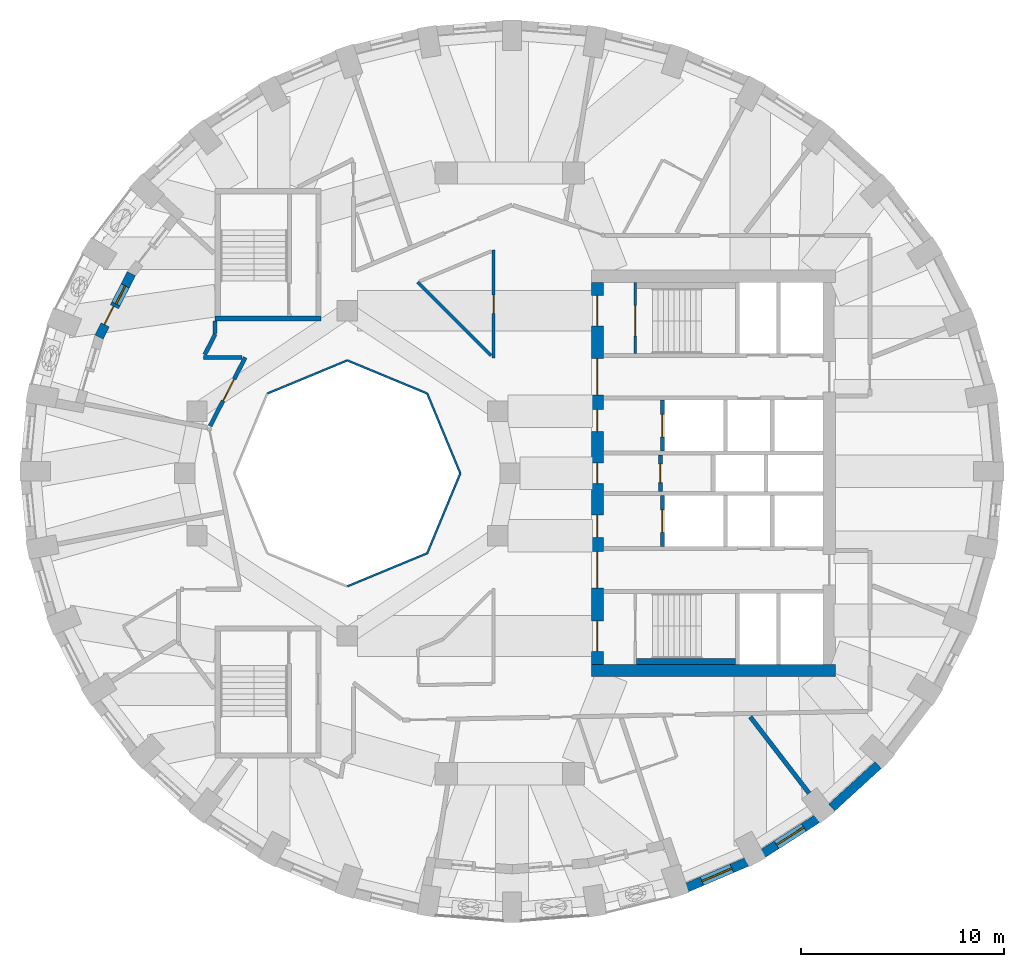
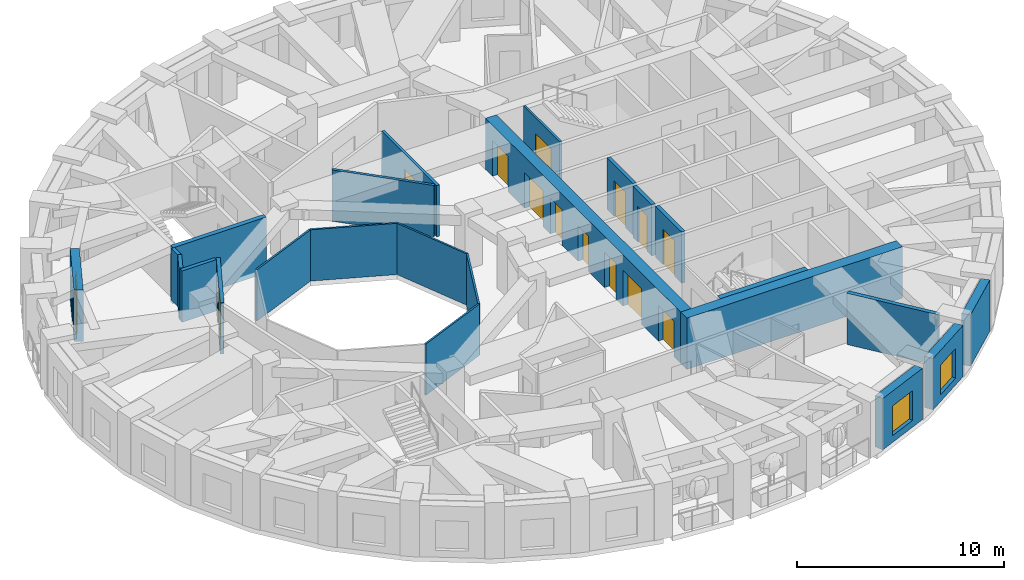
# One storey, part 5 of 11: 24 walls, 14 doors, 3 windows, 17 openings.
"""IFC4 building model written with IfcOpenShell, lengths in metres."""

from ifc_helpers import new_model, si_unit, direction, frame, frame_2d, origin, place, context, subcontext, project, spatial, rectangle, extrude, material, layer, layer_set, type_object, element, fill, save


model = new_model("IFC4")

# Units and contexts
model_context = context("Model", 3, precision=1e-05, world=origin(), true_north=direction((0.0, 1.0)))
body_context = subcontext(model_context, "Body", "Model", "MODEL_VIEW")
ifc_project = project(units=[si_unit("LENGTHUNIT", "METRE"), si_unit("AREAUNIT", "SQUARE_METRE"), si_unit("VOLUMEUNIT", "CUBIC_METRE"), si_unit("PLANEANGLEUNIT", "RADIAN"), si_unit("MASSUNIT", "GRAM", prefix="KILO")], contexts=[model_context])

# Site, building, storey
site_placement = place(None, origin())
site = spatial("IfcSite", under=ifc_project, at=site_placement, CompositionType="ELEMENT")
building_placement = place(site_placement, origin())
building = spatial("IfcBuilding", under=site, at=building_placement, Name="Taillehof Tower", CompositionType="ELEMENT")
storey_placement = place(building_placement, frame((0.0, 0.0, 158.300048828125)))
storey = spatial("IfcBuildingStorey", under=building, at=storey_placement, Name="L44", CompositionType="ELEMENT", Elevation=158.300048828125)

# Walls
ifc_material_1 = material(Name="Fire-resisting glass in steel frame", Category="steel")
ifc_layer_1 = layer(ifc_material_1, 0.10009765625)
ifc_layer_set_1 = layer_set([ifc_layer_1], Name="Atrium fire-resisting screen EI 60 100")
wall_type_1 = type_object("IfcWallType", Name="Atrium fire-resisting screen EI 60 100", PredefinedType="PARTITIONING", material=ifc_layer_set_1)
for number, where, z_axis, x_axis, name in (
    (1, (-2.44580078125, 0.0, 0.0), (0.0, 0.0, 1.0), (-0.382730523909, -0.923860025149, 0.0), "Atrium screen"),
    (2, (-4.07275390625, -3.92724609375, 0.0), (0.0, 0.0, 1.0), (-0.923860025149, -0.382730523909, 0.0), "Atrium screen"),
    (3, (-11.92724609375, 3.92724609375, 0.0), (0.0, 0.0, 1.0), (0.923860025149, 0.382730523909, 0.0), "Atrium screen"),
    (4, (-8.0, 5.55419921875, 0.0), (0.0, 0.0, 1.0), (0.923860025149, -0.382730523909, 0.0), "Atrium screen"),
    (5, (-4.07275390625, 3.92724609375, 0.0), (0.0, 0.0, 1.0), (0.382730523909, -0.923860025149, 0.0), "Atrium screen"),
):
    element("IfcWall", number, at=place(storey_placement, frame(where, z_axis=z_axis, x_axis=x_axis)), inside=storey, type_object=wall_type_1, Name=name, PredefinedType="PARTITIONING", context=body_context, shape_type="SweptSolid", body=[
        extrude(rectangle(XDim=4.2509765625, YDim=0.10009765625, at=frame_2d((2.12548828125, 0.0))), origin(), (0.0, 0.0, 1.0), 3.02001953125),
    ])

# Wall, opening, window
ifc_material_2 = material(Name="Brick masonry", Category="masonry")
ifc_layer_2 = layer(ifc_material_2, 0.449951171875)
ifc_layer_set_2 = layer_set([ifc_layer_2], Name="Brick infill wall 450")
wall_type_2 = type_object("IfcWallType", Name="Brick infill wall 450", PredefinedType="SOLIDWALL", material=ifc_layer_set_2)
wall_1_placement = place(storey_placement, frame((8.706298828125, -20.37451171875, 0.0), z_axis=(0.0, 0.0, 1.0), x_axis=(0.91981046949, 0.392362969986, 0.0)))
wall_1 = element("IfcWall", 6, at=wall_1_placement, inside=storey, type_object=wall_type_2, Name="Brick wall L44 bay 30", PredefinedType="SOLIDWALL", context=body_context, shape_type="SweptSolid", body=[
    extrude(rectangle(XDim=3.20068359375, YDim=0.449951171875, at=frame_2d((1.600341796875, 0.0))), origin(), (0.0, 0.0, 1.0), 3.02001953125),
])
opening_1_placement = place(wall_1_placement, frame((0.80029296875, 0.0, 0.39990234375)))
opening_1 = element("IfcOpeningElement", 7, at=opening_1_placement, cuts=wall_1, Name="Opening W3", PredefinedType="OPENING", context=body_context, shape_type="SweptSolid", body=[
    extrude(rectangle(XDim=1.60009765625, YDim=1.75, at=frame_2d((0.800048828125, 0.875))), frame((0.0, 0.23486328125, 0.0), z_axis=(0.0, -1.0, 0.0), x_axis=(1.0, 0.0, 0.0)), (0.0, 0.0, 1.0), 0.469970703125),
])
ifc_material_3 = material(Name="Aluminium window frame with clear double glazing", Category="aluminium")
window_type_1 = type_object("IfcWindowType", Name="Deep-set window 1600x1750", PartitioningType="SINGLE_PANEL", PredefinedType="WINDOW", material=ifc_material_3)
window_1_placement = place(opening_1_placement, origin())
window_1 = element("IfcWindow", 8, at=window_1_placement, inside=storey, type_object=window_type_1, Name="W3", OverallHeight=1.75, OverallWidth=1.60009765625, PartitioningType="SINGLE_PANEL", PredefinedType="WINDOW", context=body_context, shape_type="SweptSolid", body=[
    extrude(rectangle(XDim=1.60009765625, YDim=1.75, at=frame_2d((0.800048828125, 0.875))), frame((0.0, 0.034912109375, 0.0), z_axis=(0.0, -1.0, 0.0), x_axis=(1.0, 0.0, 0.0)), (0.0, 0.0, 1.0), 0.06005859375),
])
fill(opening_1, window_1)

wall_2_placement = place(storey_placement, frame((12.454833984375, -18.693115234375, 0.0), z_axis=(0.0, 0.0, 1.0), x_axis=(0.842065914439, 0.539374633943, 0.0)))
wall_2 = element("IfcWall", 9, at=wall_2_placement, inside=storey, type_object=wall_type_2, Name="Brick wall L44 bay 31", PredefinedType="SOLIDWALL", context=body_context, shape_type="SweptSolid", body=[
    extrude(rectangle(XDim=3.1513671875, YDim=0.449951171875, at=frame_2d((1.57568359375, 0.0))), origin(), (0.0, 0.0, 1.0), 3.02001953125),
])
opening_2_placement = place(wall_2_placement, frame((0.775634765625, 0.0, 0.39990234375)))
opening_2 = element("IfcOpeningElement", 10, at=opening_2_placement, cuts=wall_2, Name="Opening W3", PredefinedType="OPENING", context=body_context, shape_type="SweptSolid", body=[
    extrude(rectangle(XDim=1.60009765625, YDim=1.75, at=frame_2d((0.800048828125, 0.875))), frame((0.0, 0.23486328125, 0.0), z_axis=(0.0, -1.0, 0.0), x_axis=(1.0, 0.0, 0.0)), (0.0, 0.0, 1.0), 0.469970703125),
])
window_2_placement = place(opening_2_placement, origin())
window_2 = element("IfcWindow", 11, at=window_2_placement, inside=storey, type_object=window_type_1, Name="W3", OverallHeight=1.75, OverallWidth=1.60009765625, PartitioningType="SINGLE_PANEL", PredefinedType="WINDOW", context=body_context, shape_type="SweptSolid", body=[
    extrude(rectangle(XDim=1.60009765625, YDim=1.75, at=frame_2d((0.800048828125, 0.875))), frame((0.0, 0.034912109375, 0.0), z_axis=(0.0, -1.0, 0.0), x_axis=(1.0, 0.0, 0.0)), (0.0, 0.0, 1.0), 0.06005859375),
])
fill(opening_2, window_2)

# Wall
wall_3_placement = place(storey_placement, frame((15.830078125, -16.438720703125, 0.0), z_axis=(0.0, 0.0, 1.0), x_axis=(0.737808755941, 0.675009807082, 0.0)))
element("IfcWall", 12, at=wall_3_placement, inside=storey, type_object=wall_type_2, Name="Brick wall L44 bay 32", PredefinedType="SOLIDWALL", context=body_context, shape_type="SweptSolid", body=[
    extrude(rectangle(XDim=3.094482421875, YDim=0.449951171875, at=frame_2d((1.54736328125, 0.0))), origin(), (0.0, 0.0, 1.0), 3.02001953125),
])

# Wall, openings, door, window
wall_4_placement = place(storey_placement, frame((-18.6259765625, 9.819580078125, 0.0), z_axis=(0.0, 0.0, 1.0), x_axis=(-0.453241970186, -0.891387523169, 0.0)))
wall_4 = element("IfcWall", 13, at=wall_4_placement, inside=storey, type_object=wall_type_2, Name="Brick wall L44 pocket bay 16", PredefinedType="SOLIDWALL", context=body_context, shape_type="SweptSolid", body=[
    extrude(rectangle(XDim=3.4931640625, YDim=0.449951171875, at=frame_2d((1.74658203125, 0.0))), origin(), (0.0, 0.0, 1.0), 3.02001953125),
])
opening_3_placement = place(wall_4_placement, frame((0.671630859375, 0.0, 0.39990234375)))
opening_3 = element("IfcOpeningElement", 14, at=opening_3_placement, cuts=wall_4, Name="Opening W5", PredefinedType="OPENING", context=body_context, shape_type="SweptSolid", body=[
    extrude(rectangle(XDim=1.0, YDim=1.75, at=frame_2d((0.5, 0.875))), frame((0.0, 0.23486328125, 0.0), z_axis=(0.0, -1.0, 0.0), x_axis=(1.0, 0.0, 0.0)), (0.0, 0.0, 1.0), 0.469970703125),
])
opening_4_placement = place(wall_4_placement, frame((1.821533203125, 0.0, 0.0)))
opening_4 = element("IfcOpeningElement", 15, at=opening_4_placement, cuts=wall_4, Name="Opening D4495", PredefinedType="OPENING", context=body_context, shape_type="SweptSolid", body=[
    extrude(rectangle(XDim=1.0, YDim=2.14990234375, at=frame_2d((0.5, 1.074951171875))), frame((0.0, 0.23486328125, 0.0), z_axis=(0.0, -1.0, 0.0), x_axis=(1.0, 0.0, 0.0)), (0.0, 0.0, 1.0), 0.469970703125),
])
ifc_material_4 = material(Name="Aluminium door frame with clear double glazing", Category="aluminium")
door_type_1 = type_object("IfcDoorType", Name="Balcony door 1000x2150", OperationType="SINGLE_SWING_RIGHT", PredefinedType="DOOR", material=ifc_material_4)
door_1_placement = place(opening_4_placement, frame((1.0, 0.0, 0.0), z_axis=(0.0, 0.0, 1.0), x_axis=(-1.0, 0.0, 0.0)))
door_1 = element("IfcDoor", 16, at=door_1_placement, inside=storey, type_object=door_type_1, Name="Balcony door L44 bay 16", OperationType="SINGLE_SWING_LEFT", OverallHeight=2.14990234375, OverallWidth=1.0, PredefinedType="DOOR", context=body_context, shape_type="SweptSolid", body=[
    extrude(rectangle(XDim=1.0, YDim=2.14990234375, at=frame_2d((0.5, 1.074951171875))), frame((0.0, 0.0751953125, 0.0), z_axis=(0.0, -1.0, 0.0), x_axis=(1.0, 0.0, 0.0)), (0.0, 0.0, 1.0), 0.050048828125),
])
fill(opening_4, door_1)
ifc_material_5 = material(Name="Aluminium window frame with clear double glazing", Category="aluminium")
window_type_2 = type_object("IfcWindowType", Name="Fixed window 1000x1750", PartitioningType="SINGLE_PANEL", PredefinedType="WINDOW", material=ifc_material_5)
window_3_placement = place(opening_3_placement, origin())
window_3 = element("IfcWindow", 17, at=window_3_placement, inside=storey, type_object=window_type_2, Name="W5", OverallHeight=1.75, OverallWidth=1.0, PartitioningType="SINGLE_PANEL", PredefinedType="WINDOW", context=body_context, shape_type="SweptSolid", body=[
    extrude(rectangle(XDim=1.0, YDim=1.75, at=frame_2d((0.5, 0.875))), frame((0.0, 0.034912109375, 0.0), z_axis=(0.0, -1.0, 0.0), x_axis=(1.0, 0.0, 0.0)), (0.0, 0.0, 1.0), 0.06005859375),
])
fill(opening_3, window_3)

# Wall, opening, door
ifc_material_6 = material(Name="Calcium silicate masonry", Category="masonry")
ifc_layer_3 = layer(ifc_material_6, 0.199951171875)
ifc_layer_set_3 = layer_set([ifc_layer_3], Name="Compartment wall calcium silicate 200")
wall_type_3 = type_object("IfcWallType", Name="Compartment wall calcium silicate 200", PredefinedType="PARTITIONING", material=ifc_layer_set_3)
wall_5_placement = place(storey_placement, frame((7.39990234375, -0.89990234375, 0.0), z_axis=(0.0, 0.0, 1.0), x_axis=(0.0, 1.0, 0.0)))
wall_5 = element("IfcWall", 18, at=wall_5_placement, inside=storey, type_object=wall_type_3, Name="Compartment wall FW", PredefinedType="PARTITIONING", context=body_context, shape_type="SweptSolid", body=[
    extrude(rectangle(XDim=1.7998046875, YDim=0.199951171875, at=frame_2d((0.89990234375, 0.0))), origin(), (0.0, 0.0, 1.0), 3.02001953125),
])
opening_5_placement = place(wall_5_placement, frame((0.449951171875, 0.0, 0.0)))
opening_5 = element("IfcOpeningElement", 19, at=opening_5_placement, cuts=wall_5, Name="Opening D4414", PredefinedType="OPENING", context=body_context, shape_type="SweptSolid", body=[
    extrude(rectangle(XDim=0.89990234375, YDim=2.10009765625, at=frame_2d((0.449951171875, 1.050048828125))), frame((0.0, 0.10986328125, 0.0), z_axis=(0.0, -1.0, 0.0), x_axis=(1.0, 0.0, 0.0)), (0.0, 0.0, 1.0), 0.219970703125),
])
ifc_material_7 = material(Name="Steel-faced fire door", Category="steel")
door_type_2 = type_object("IfcDoorType", Name="Riser and service room door 900x2100", OperationType="SINGLE_SWING_LEFT", PredefinedType="DOOR", material=ifc_material_7)
door_2_placement = place(opening_5_placement, origin())
door_2 = element("IfcDoor", 20, at=door_2_placement, inside=storey, type_object=door_type_2, Name="Door Fire Safety Store", OperationType="SINGLE_SWING_RIGHT", OverallHeight=2.10009765625, OverallWidth=0.89990234375, PredefinedType="DOOR", context=body_context, shape_type="SweptSolid", body=[
    extrude(rectangle(XDim=0.89990234375, YDim=2.10009765625, at=frame_2d((0.449951171875, 1.050048828125))), frame((0.0, 0.02490234375, 0.0), z_axis=(0.0, -1.0, 0.0), x_axis=(1.0, 0.0, 0.0)), (0.0, 0.0, 1.0), 0.050048828125),
])
fill(opening_5, door_2)

ifc_material_8 = material(Name="Gypsum board on steel studs, two layers each side", Category="steel")
ifc_layer_4 = layer(ifc_material_8, 0.199951171875)
ifc_layer_set_4 = layer_set([ifc_layer_4], Name="Compartment wall corridor 200")
wall_type_4 = type_object("IfcWallType", Name="Compartment wall corridor 200", PredefinedType="PARTITIONING", material=ifc_layer_set_4)
wall_6_placement = place(storey_placement, frame((-14.750732421875, 2.326416015625, 0.0), z_axis=(0.0, 0.0, 1.0), x_axis=(0.456461745611, 0.889743038632, 0.0)))
wall_6 = element("IfcWall", 21, at=wall_6_placement, inside=storey, type_object=wall_type_4, Name="Compartment wall", PredefinedType="PARTITIONING", context=body_context, shape_type="SweptSolid", body=[
    extrude(rectangle(XDim=3.79150390625, YDim=0.199951171875, at=frame_2d((1.895751953125, 0.0))), origin(), (0.0, 0.0, 1.0), 3.02001953125),
])
opening_6_placement = place(wall_6_placement, frame((1.40087890625, 0.0, 0.0)))
opening_6 = element("IfcOpeningElement", 22, at=opening_6_placement, cuts=wall_6, Name="Opening D4446", PredefinedType="OPENING", context=body_context, shape_type="SweptSolid", body=[
    extrude(rectangle(XDim=1.199951171875, YDim=2.10009765625, at=frame_2d((0.60009765625, 1.050048828125))), frame((0.0, 0.10986328125, 0.0), z_axis=(0.0, -1.0, 0.0), x_axis=(1.0, 0.0, 0.0)), (0.0, 0.0, 1.0), 0.219970703125),
])
ifc_material_9 = material(Name="Timber door leaf in steel frame", Category="steel")
door_type_3 = type_object("IfcDoorType", Name="Suite entrance door EI 30 1200 x 2100", OperationType="SINGLE_SWING_LEFT", PredefinedType="DOOR", material=ifc_material_9)
door_3_placement = place(opening_6_placement, origin())
door_3 = element("IfcDoor", 23, at=door_3_placement, inside=storey, type_object=door_type_3, Name="D4446", OperationType="SINGLE_SWING_RIGHT", OverallHeight=2.10009765625, OverallWidth=1.199951171875, PredefinedType="DOOR", context=body_context, shape_type="SweptSolid", body=[
    extrude(rectangle(XDim=1.199951171875, YDim=2.10009765625, at=frame_2d((0.60009765625, 1.050048828125))), frame((0.0, 0.02490234375, 0.0), z_axis=(0.0, -1.0, 0.0), x_axis=(1.0, 0.0, 0.0)), (0.0, 0.0, 1.0), 0.050048828125),
])
fill(opening_6, door_3)

# Walls
wall_7_placement = place(storey_placement, frame((-13.18017578125, 5.699951171875, 0.0), z_axis=(0.0, 0.0, 1.0), x_axis=(-1.0, 0.0, 0.0)))
element("IfcWall", 24, at=wall_7_placement, inside=storey, type_object=wall_type_4, Name="Compartment wall", PredefinedType="PARTITIONING", context=body_context, shape_type="SweptSolid", body=[
    extrude(rectangle(XDim=1.903076171875, YDim=0.199951171875, at=frame_2d((0.95166015625, 0.0))), origin(), (0.0, 0.0, 1.0), 3.02001953125),
])
wall_8_placement = place(storey_placement, frame((-15.010986328125, 5.842529296875, 0.0), z_axis=(0.0, 0.0, 1.0), x_axis=(0.453267091839, 0.891374749169, 0.0)))
element("IfcWall", 25, at=wall_8_placement, inside=storey, type_object=wall_type_4, Name="Compartment wall", PredefinedType="PARTITIONING", context=body_context, shape_type="SweptSolid", body=[
    extrude(rectangle(XDim=1.12744140625, YDim=0.199951171875, at=frame_2d((0.563720703125, 0.0))), origin(), (0.0, 0.0, 1.0), 3.02001953125),
])
wall_9_placement = place(storey_placement, frame((-14.5, 6.887451171875, 0.0), z_axis=(0.0, 0.0, 1.0), x_axis=(0.0, 1.0, 0.0)))
element("IfcWall", 26, at=wall_9_placement, inside=storey, type_object=wall_type_4, Name="Compartment wall", PredefinedType="PARTITIONING", context=body_context, shape_type="SweptSolid", body=[
    extrude(rectangle(XDim=0.608642578125, YDim=0.199951171875, at=frame_2d((0.30419921875, 0.0))), origin(), (0.0, 0.0, 1.0), 3.02001953125),
])
ifc_material_10 = material(Name="Gypsum board on double steel studs with mineral wool", Category="steel")
ifc_layer_5 = layer(ifc_material_10, 0.219970703125)
ifc_layer_set_5 = layer_set([ifc_layer_5], Name="Compartment wall guest room 220")
wall_type_5 = type_object("IfcWallType", Name="Compartment wall guest room 220", PredefinedType="PARTITIONING", material=ifc_layer_set_5)
wall_10_placement = place(storey_placement, frame((14.7158203125, -15.7373046875, 0.0), z_axis=(0.0, 0.0, 1.0), x_axis=(-0.609964163419, 0.79242899956, 0.0)))
element("IfcWall", 27, at=wall_10_placement, inside=storey, type_object=wall_type_5, Name="Compartment wall", PredefinedType="PARTITIONING", context=body_context, shape_type="SweptSolid", body=[
    extrude(rectangle(XDim=4.74853515625, YDim=0.219970703125, at=frame_2d((2.374267578125, 0.0))), origin(), (0.0, 0.0, 1.0), 3.02001953125),
])
ifc_material_11 = material(Name="Calcium silicate masonry", Category="masonry")
ifc_layer_6 = layer(ifc_material_11, 0.300048828125)
ifc_layer_set_6 = layer_set([ifc_layer_6], Name="Compartment wall lining calcium silicate 300")
wall_type_6 = type_object("IfcWallType", Name="Compartment wall lining calcium silicate 300", PredefinedType="PARTITIONING", material=ifc_layer_set_6)
wall_11_placement = place(storey_placement, frame((6.219970703125, -9.25, 0.0), z_axis=(0.0, 0.0, 1.0), x_axis=(1.0, 0.0, 0.0)))
element("IfcWall", 28, at=wall_11_placement, inside=storey, type_object=wall_type_6, Name="Compartment wall FW", PredefinedType="PARTITIONING", context=body_context, shape_type="SweptSolid", body=[
    extrude(rectangle(XDim=4.880126953125, YDim=0.300048828125, at=frame_2d((2.43994140625, 0.0))), origin(), (0.0, 0.0, 1.0), 3.02001953125),
])

# Wall, opening, door
ifc_material_12 = material(Name="Gypsum board on steel studs, two layers each side", Category="steel")
ifc_layer_7 = layer(ifc_material_12, 0.14990234375)
ifc_layer_set_7 = layer_set([ifc_layer_7], Name="Compartment wall service room 150")
wall_type_7 = type_object("IfcWallType", Name="Compartment wall service room 150", PredefinedType="PARTITIONING", material=ifc_layer_set_7)
wall_12_placement = place(storey_placement, frame((-0.800048828125, 10.977294921875, 0.0), z_axis=(0.0, 0.0, 1.0), x_axis=(0.0, -1.0, 0.0)))
wall_12 = element("IfcWall", 29, at=wall_12_placement, inside=storey, type_object=wall_type_7, Name="Compartment wall", PredefinedType="PARTITIONING", context=body_context, shape_type="SweptSolid", body=[
    extrude(rectangle(XDim=5.307861328125, YDim=0.14990234375, at=frame_2d((2.65380859375, 0.0))), origin(), (0.0, 0.0, 1.0), 3.02001953125),
])
opening_7_placement = place(wall_12_placement, frame((2.203857421875, 0.0, 0.0)))
opening_7 = element("IfcOpeningElement", 30, at=opening_7_placement, cuts=wall_12, Name="Opening D4459", PredefinedType="OPENING", context=body_context, shape_type="SweptSolid", body=[
    extrude(rectangle(XDim=0.89990234375, YDim=2.10009765625, at=frame_2d((0.449951171875, 1.050048828125))), frame((0.0, 0.0849609375, 0.0), z_axis=(0.0, -1.0, 0.0), x_axis=(1.0, 0.0, 0.0)), (0.0, 0.0, 1.0), 0.169921875),
])
ifc_material_13 = material(Name="Timber door leaf in steel frame", Category="steel")
door_type_4 = type_object("IfcDoorType", Name="Service room door EI 30 900 x 2100", OperationType="SINGLE_SWING_LEFT", PredefinedType="DOOR", material=ifc_material_13)
door_4_placement = place(opening_7_placement, origin())
door_4 = element("IfcDoor", 31, at=door_4_placement, inside=storey, type_object=door_type_4, Name="D4459", OperationType="SINGLE_SWING_LEFT", OverallHeight=2.10009765625, OverallWidth=0.89990234375, PredefinedType="DOOR", context=body_context, shape_type="SweptSolid", body=[
    extrude(rectangle(XDim=0.89990234375, YDim=2.10009765625, at=frame_2d((0.449951171875, 1.050048828125))), frame((0.0, 0.02490234375, 0.0), z_axis=(0.0, -1.0, 0.0), x_axis=(1.0, 0.0, 0.0)), (0.0, 0.0, 1.0), 0.050048828125),
])
fill(opening_7, door_4)

# Wall
wall_13_placement = place(storey_placement, frame((-0.927490234375, 5.796875, 0.0), z_axis=(0.0, 0.0, 1.0), x_axis=(-0.707106781187, 0.707106781187, 0.0)))
element("IfcWall", 32, at=wall_13_placement, inside=storey, type_object=wall_type_7, Name="Compartment wall", PredefinedType="PARTITIONING", context=body_context, shape_type="SweptSolid", body=[
    extrude(rectangle(XDim=5.10400390625, YDim=0.14990234375, at=frame_2d((2.552001953125, 0.0))), origin(), (0.0, 0.0, 1.0), 3.02001953125),
])

# Wall, openings, doors
ifc_material_14 = material(Name="Concrete C80/95", Category="concrete")
ifc_layer_8 = layer(ifc_material_14, 0.60009765625)
ifc_layer_set_8 = layer_set([ifc_layer_8], Name="Core wall C80/95 600")
wall_type_8 = type_object("IfcWallType", Name="Core wall C80/95 600", PredefinedType="SHEAR", material=ifc_layer_set_8)
wall_14_placement = place(storey_placement, frame((4.300048828125, -9.39990234375, 0.0), z_axis=(0.0, 0.0, 1.0), x_axis=(0.0, 1.0, 0.0)))
wall_14 = element("IfcWall", 33, at=wall_14_placement, inside=storey, type_object=wall_type_8, Name="Core wall CW01", PredefinedType="SHEAR", context=body_context, shape_type="SweptSolid", body=[
    extrude(rectangle(XDim=18.7998046875, YDim=0.60009765625, at=frame_2d((9.39990234375, 0.0))), origin(), (0.0, 0.0, 1.0), 3.02001953125),
])
opening_8_placement = place(wall_14_placement, frame((0.64990234375, 0.0, 0.0)))
opening_8 = element("IfcOpeningElement", 34, at=opening_8_placement, cuts=wall_14, Name="Opening D4401", PredefinedType="OPENING", context=body_context, shape_type="SweptSolid", body=[
    extrude(rectangle(XDim=1.5, YDim=2.10009765625, at=frame_2d((0.75, 1.050048828125))), frame((0.0, 0.31005859375, 0.0), z_axis=(0.0, -1.0, 0.0), x_axis=(1.0, 0.0, 0.0)), (0.0, 0.0, 1.0), 0.6201171875),
])
opening_9_placement = place(wall_14_placement, frame((3.75, 0.0, 0.0)))
opening_9 = element("IfcOpeningElement", 35, at=opening_9_placement, cuts=wall_14, Name="Opening D4402", PredefinedType="OPENING", context=body_context, shape_type="SweptSolid", body=[
    extrude(rectangle(XDim=1.800048828125, YDim=2.10009765625, at=frame_2d((0.89990234375, 1.050048828125))), frame((0.0, 0.31005859375, 0.0), z_axis=(0.0, -1.0, 0.0), x_axis=(1.0, 0.0, 0.0)), (0.0, 0.0, 1.0), 0.6201171875),
])
opening_10_placement = place(wall_14_placement, frame((6.25, 0.0, 0.0)))
opening_10 = element("IfcOpeningElement", 36, at=opening_10_placement, cuts=wall_14, Name="Opening D4403", PredefinedType="OPENING", context=body_context, shape_type="SweptSolid", body=[
    extrude(rectangle(XDim=1.10009765625, YDim=2.10009765625, at=frame_2d((0.550048828125, 1.050048828125))), frame((0.0, 0.31005859375, 0.0), z_axis=(0.0, -1.0, 0.0), x_axis=(1.0, 0.0, 0.0)), (0.0, 0.0, 1.0), 0.6201171875),
])
opening_11_placement = place(wall_14_placement, frame((8.89990234375, 0.0, 0.0)))
opening_11 = element("IfcOpeningElement", 37, at=opening_11_placement, cuts=wall_14, Name="Opening D4404", PredefinedType="OPENING", context=body_context, shape_type="SweptSolid", body=[
    extrude(rectangle(XDim=1.0, YDim=2.10009765625, at=frame_2d((0.5, 1.050048828125))), frame((0.0, 0.31005859375, 0.0), z_axis=(0.0, -1.0, 0.0), x_axis=(1.0, 0.0, 0.0)), (0.0, 0.0, 1.0), 0.6201171875),
])
opening_12_placement = place(wall_14_placement, frame((11.449951171875, 0.0, 0.0)))
opening_12 = element("IfcOpeningElement", 38, at=opening_12_placement, cuts=wall_14, Name="Opening D4405", PredefinedType="OPENING", context=body_context, shape_type="SweptSolid", body=[
    extrude(rectangle(XDim=1.10009765625, YDim=2.10009765625, at=frame_2d((0.550048828125, 1.050048828125))), frame((0.0, 0.31005859375, 0.0), z_axis=(0.0, -1.0, 0.0), x_axis=(1.0, 0.0, 0.0)), (0.0, 0.0, 1.0), 0.6201171875),
])
opening_13_placement = place(wall_14_placement, frame((13.25, 0.0, 0.0)))
opening_13 = element("IfcOpeningElement", 39, at=opening_13_placement, cuts=wall_14, Name="Opening D4406", PredefinedType="OPENING", context=body_context, shape_type="SweptSolid", body=[
    extrude(rectangle(XDim=1.800048828125, YDim=2.10009765625, at=frame_2d((0.89990234375, 1.050048828125))), frame((0.0, 0.31005859375, 0.0), z_axis=(0.0, -1.0, 0.0), x_axis=(1.0, 0.0, 0.0)), (0.0, 0.0, 1.0), 0.6201171875),
])
opening_14_placement = place(wall_14_placement, frame((16.64990234375, 0.0, 0.0)))
opening_14 = element("IfcOpeningElement", 40, at=opening_14_placement, cuts=wall_14, Name="Opening D4407", PredefinedType="OPENING", context=body_context, shape_type="SweptSolid", body=[
    extrude(rectangle(XDim=1.5, YDim=2.10009765625, at=frame_2d((0.75, 1.050048828125))), frame((0.0, 0.31005859375, 0.0), z_axis=(0.0, -1.0, 0.0), x_axis=(1.0, 0.0, 0.0)), (0.0, 0.0, 1.0), 0.6201171875),
])
ifc_material_15 = material(Name="Steel-faced fire door", Category="steel")
door_type_5 = type_object("IfcDoorType", Name="Firefighting lobby door 1100x2100", OperationType="SINGLE_SWING_RIGHT", PredefinedType="DOOR", material=ifc_material_15)
door_5_placement = place(opening_10_placement, origin())
door_5 = element("IfcDoor", 41, at=door_5_placement, inside=storey, type_object=door_type_5, Name="Firefighting lobby door FFL-S", OperationType="SINGLE_SWING_RIGHT", OverallHeight=2.10009765625, OverallWidth=1.10009765625, PredefinedType="DOOR", context=body_context, shape_type="SweptSolid", body=[
    extrude(rectangle(XDim=1.10009765625, YDim=2.10009765625, at=frame_2d((0.550048828125, 1.050048828125))), frame((0.0, 0.02490234375, 0.0), z_axis=(0.0, -1.0, 0.0), x_axis=(1.0, 0.0, 0.0)), (0.0, 0.0, 1.0), 0.050048828125),
])
fill(opening_10, door_5)
door_6_placement = place(opening_12_placement, origin())
door_6 = element("IfcDoor", 42, at=door_6_placement, inside=storey, type_object=door_type_5, Name="Firefighting lobby door FFL-N", OperationType="SINGLE_SWING_LEFT", OverallHeight=2.10009765625, OverallWidth=1.10009765625, PredefinedType="DOOR", context=body_context, shape_type="SweptSolid", body=[
    extrude(rectangle(XDim=1.10009765625, YDim=2.10009765625, at=frame_2d((0.550048828125, 1.050048828125))), frame((0.0, 0.02490234375, 0.0), z_axis=(0.0, -1.0, 0.0), x_axis=(1.0, 0.0, 0.0)), (0.0, 0.0, 1.0), 0.050048828125),
])
fill(opening_12, door_6)
ifc_material_16 = material(Name="Steel-faced fire door", Category="steel")
door_type_6 = type_object("IfcDoorType", Name="Lift lobby door 1800x2100", OperationType="DOUBLE_DOOR_SINGLE_SWING", PredefinedType="DOOR", material=ifc_material_16)
door_7_placement = place(opening_9_placement, origin())
door_7 = element("IfcDoor", 43, at=door_7_placement, inside=storey, type_object=door_type_6, Name="Lift lobby door LL-S", OperationType="DOUBLE_DOOR_SINGLE_SWING", OverallHeight=2.10009765625, OverallWidth=1.800048828125, PredefinedType="DOOR", context=body_context, shape_type="SweptSolid", body=[
    extrude(rectangle(XDim=1.800048828125, YDim=2.10009765625, at=frame_2d((0.89990234375, 1.050048828125))), frame((0.0, 0.02490234375, 0.0), z_axis=(0.0, -1.0, 0.0), x_axis=(1.0, 0.0, 0.0)), (0.0, 0.0, 1.0), 0.050048828125),
])
fill(opening_9, door_7)
door_8_placement = place(opening_13_placement, origin())
door_8 = element("IfcDoor", 44, at=door_8_placement, inside=storey, type_object=door_type_6, Name="Lift lobby door LL-N", OperationType="DOUBLE_DOOR_SINGLE_SWING", OverallHeight=2.10009765625, OverallWidth=1.800048828125, PredefinedType="DOOR", context=body_context, shape_type="SweptSolid", body=[
    extrude(rectangle(XDim=1.800048828125, YDim=2.10009765625, at=frame_2d((0.89990234375, 1.050048828125))), frame((0.0, 0.02490234375, 0.0), z_axis=(0.0, -1.0, 0.0), x_axis=(1.0, 0.0, 0.0)), (0.0, 0.0, 1.0), 0.050048828125),
])
fill(opening_13, door_8)
ifc_material_17 = material(Name="Steel-faced fire door", Category="steel")
door_type_7 = type_object("IfcDoorType", Name="Service door 1000x2100", OperationType="SINGLE_SWING_RIGHT", PredefinedType="DOOR", material=ifc_material_17)
door_9_placement = place(opening_11_placement, origin())
door_9 = element("IfcDoor", 45, at=door_9_placement, inside=storey, type_object=door_type_7, Name="Service door SV", OperationType="SINGLE_SWING_RIGHT", OverallHeight=2.10009765625, OverallWidth=1.0, PredefinedType="DOOR", context=body_context, shape_type="SweptSolid", body=[
    extrude(rectangle(XDim=1.0, YDim=2.10009765625, at=frame_2d((0.5, 1.050048828125))), frame((0.0, 0.02490234375, 0.0), z_axis=(0.0, -1.0, 0.0), x_axis=(1.0, 0.0, 0.0)), (0.0, 0.0, 1.0), 0.050048828125),
])
fill(opening_11, door_9)
ifc_material_18 = material(Name="Steel-faced fire door", Category="steel")
door_type_8 = type_object("IfcDoorType", Name="Stair door 1500x2100", OperationType="DOUBLE_DOOR_SINGLE_SWING", PredefinedType="DOOR", material=ifc_material_18)
door_10_placement = place(opening_8_placement, origin())
door_10 = element("IfcDoor", 46, at=door_10_placement, inside=storey, type_object=door_type_8, Name="Stair door S2", OperationType="DOUBLE_DOOR_SINGLE_SWING", OverallHeight=2.10009765625, OverallWidth=1.5, PredefinedType="DOOR", context=body_context, shape_type="SweptSolid", body=[
    extrude(rectangle(XDim=1.5, YDim=2.10009765625, at=frame_2d((0.75, 1.050048828125))), frame((0.0, 0.02490234375, 0.0), z_axis=(0.0, -1.0, 0.0), x_axis=(1.0, 0.0, 0.0)), (0.0, 0.0, 1.0), 0.050048828125),
])
fill(opening_8, door_10)
door_11_placement = place(opening_14_placement, origin())
door_11 = element("IfcDoor", 47, at=door_11_placement, inside=storey, type_object=door_type_8, Name="Stair door S1", OperationType="DOUBLE_DOOR_SINGLE_SWING", OverallHeight=2.10009765625, OverallWidth=1.5, PredefinedType="DOOR", context=body_context, shape_type="SweptSolid", body=[
    extrude(rectangle(XDim=1.5, YDim=2.10009765625, at=frame_2d((0.75, 1.050048828125))), frame((0.0, 0.02490234375, 0.0), z_axis=(0.0, -1.0, 0.0), x_axis=(1.0, 0.0, 0.0)), (0.0, 0.0, 1.0), 0.050048828125),
])
fill(opening_14, door_11)

# Wall
wall_15_placement = place(storey_placement, frame((4.0, -9.699951171875, 0.0), z_axis=(0.0, 0.0, 1.0), x_axis=(1.0, 0.0, 0.0)))
element("IfcWall", 48, at=wall_15_placement, inside=storey, type_object=wall_type_8, Name="Core wall CW07", PredefinedType="SHEAR", context=body_context, shape_type="SweptSolid", body=[
    extrude(rectangle(XDim=12.0, YDim=0.60009765625, at=frame_2d((6.0, 0.0))), origin(), (0.0, 0.0, 1.0), 3.02001953125),
])

# Wall, opening, door
ifc_material_19 = material(Name="Concrete C50/60", Category="concrete")
ifc_layer_9 = layer(ifc_material_19, 0.199951171875)
ifc_layer_set_9 = layer_set([ifc_layer_9], Name="Shaft wall C50/60 200")
wall_type_9 = type_object("IfcWallType", Name="Shaft wall C50/60 200", PredefinedType="SHEAR", material=ifc_layer_set_9)
wall_16_placement = place(storey_placement, frame((7.5, 1.10009765625, 0.0), z_axis=(0.0, 0.0, 1.0), x_axis=(0.0, 1.0, 0.0)))
wall_16 = element("IfcWall", 49, at=wall_16_placement, inside=storey, type_object=wall_type_9, Name="Shaft wall SW", PredefinedType="SHEAR", context=body_context, shape_type="SweptSolid", body=[
    extrude(rectangle(XDim=2.5, YDim=0.199951171875, at=frame_2d((1.25, 0.0))), origin(), (0.0, 0.0, 1.0), 3.02001953125),
])
opening_15_placement = place(wall_16_placement, frame((0.699951171875, 0.0, 0.0)))
opening_15 = element("IfcOpeningElement", 50, at=opening_15_placement, cuts=wall_16, Name="Opening LD1", PredefinedType="OPENING", context=body_context, shape_type="SweptSolid", body=[
    extrude(rectangle(XDim=1.10009765625, YDim=2.10009765625, at=frame_2d((0.550048828125, 1.050048828125))), frame((0.0, 0.10986328125, 0.0), z_axis=(0.0, -1.0, 0.0), x_axis=(1.0, 0.0, 0.0)), (0.0, 0.0, 1.0), 0.219970703125),
])
ifc_material_20 = material(Name="Stainless steel", Category="steel")
door_type_9 = type_object("IfcDoorType", Name="Lift landing door LD1 1100x2100", OperationType="DOUBLE_DOOR_SLIDING", PredefinedType="DOOR", material=ifc_material_20)
door_12_placement = place(opening_15_placement, origin())
door_12 = element("IfcDoor", 51, at=door_12_placement, inside=storey, type_object=door_type_9, Name="Landing door FF1", OperationType="DOUBLE_DOOR_SLIDING", OverallHeight=2.10009765625, OverallWidth=1.10009765625, PredefinedType="DOOR", context=body_context, shape_type="SweptSolid", body=[
    extrude(rectangle(XDim=1.10009765625, YDim=2.10009765625, at=frame_2d((0.550048828125, 1.050048828125))), frame((0.0, 0.02490234375, 0.0), z_axis=(0.0, -1.0, 0.0), x_axis=(1.0, 0.0, 0.0)), (0.0, 0.0, 1.0), 0.050048828125),
])
fill(opening_15, door_12)

wall_17_placement = place(storey_placement, frame((7.5, -3.60009765625, 0.0), z_axis=(0.0, 0.0, 1.0), x_axis=(0.0, 1.0, 0.0)))
wall_17 = element("IfcWall", 52, at=wall_17_placement, inside=storey, type_object=wall_type_9, Name="Shaft wall SW", PredefinedType="SHEAR", context=body_context, shape_type="SweptSolid", body=[
    extrude(rectangle(XDim=2.5, YDim=0.199951171875, at=frame_2d((1.25, 0.0))), origin(), (0.0, 0.0, 1.0), 3.02001953125),
])
opening_16_placement = place(wall_17_placement, frame((0.699951171875, 0.0, 0.0)))
opening_16 = element("IfcOpeningElement", 53, at=opening_16_placement, cuts=wall_17, Name="Opening LD1", PredefinedType="OPENING", context=body_context, shape_type="SweptSolid", body=[
    extrude(rectangle(XDim=1.10009765625, YDim=2.10009765625, at=frame_2d((0.550048828125, 1.050048828125))), frame((0.0, 0.10986328125, 0.0), z_axis=(0.0, -1.0, 0.0), x_axis=(1.0, 0.0, 0.0)), (0.0, 0.0, 1.0), 0.219970703125),
])
door_13_placement = place(opening_16_placement, origin())
door_13 = element("IfcDoor", 54, at=door_13_placement, inside=storey, type_object=door_type_9, Name="Landing door FF2", OperationType="DOUBLE_DOOR_SLIDING", OverallHeight=2.10009765625, OverallWidth=1.10009765625, PredefinedType="DOOR", context=body_context, shape_type="SweptSolid", body=[
    extrude(rectangle(XDim=1.10009765625, YDim=2.10009765625, at=frame_2d((0.550048828125, 1.050048828125))), frame((0.0, 0.02490234375, 0.0), z_axis=(0.0, -1.0, 0.0), x_axis=(1.0, 0.0, 0.0)), (0.0, 0.0, 1.0), 0.050048828125),
])
fill(opening_16, door_13)

ifc_material_21 = material(Name="Concrete C50/60", Category="concrete")
ifc_layer_10 = layer(ifc_material_21, 0.1201171875)
ifc_layer_set_10 = layer_set([ifc_layer_10], Name="Stair lobby wall C50/60 120")
wall_type_10 = type_object("IfcWallType", Name="Stair lobby wall C50/60 120", PredefinedType="SHEAR", material=ifc_layer_set_10)
wall_18_placement = place(storey_placement, frame((6.159912109375, 5.89990234375, 0.0), z_axis=(0.0, 0.0, 1.0), x_axis=(0.0, 1.0, 0.0)))
wall_18 = element("IfcWall", 55, at=wall_18_placement, inside=storey, type_object=wall_type_10, Name="Compartment wall SW", PredefinedType="SHEAR", context=body_context, shape_type="SweptSolid", body=[
    extrude(rectangle(XDim=3.5, YDim=0.1201171875, at=frame_2d((1.75, 0.0))), origin(), (0.0, 0.0, 1.0), 3.02001953125),
])
opening_17_placement = place(wall_18_placement, frame((0.85009765625, 0.0, 0.0)))
opening_17 = element("IfcOpeningElement", 56, at=opening_17_placement, cuts=wall_18, Name="Opening D4410", PredefinedType="OPENING", context=body_context, shape_type="SweptSolid", body=[
    extrude(rectangle(XDim=1.5, YDim=2.10009765625, at=frame_2d((0.75, 1.050048828125))), frame((0.0, 0.070068359375, 0.0), z_axis=(0.0, -1.0, 0.0), x_axis=(1.0, 0.0, 0.0)), (0.0, 0.0, 1.0), 0.14013671875),
])
door_14_placement = place(opening_17_placement, origin())
door_14 = element("IfcDoor", 57, at=door_14_placement, inside=storey, type_object=door_type_8, Name="Stair lobby door S1", OperationType="DOUBLE_DOOR_SINGLE_SWING", OverallHeight=2.10009765625, OverallWidth=1.5, PredefinedType="DOOR", context=body_context, shape_type="SweptSolid", body=[
    extrude(rectangle(XDim=1.5, YDim=2.10009765625, at=frame_2d((0.75, 1.050048828125))), frame((0.0, 0.02490234375, 0.0), z_axis=(0.0, -1.0, 0.0), x_axis=(1.0, 0.0, 0.0)), (0.0, 0.0, 1.0), 0.050048828125),
])
fill(opening_17, door_14)

# Wall
ifc_material_22 = material(Name="Concrete C50/60", Category="concrete")
ifc_layer_11 = layer(ifc_material_22, 0.25)
ifc_layer_set_11 = layer_set([ifc_layer_11], Name="Stair wall C50/60 250")
wall_type_11 = type_object("IfcWallType", Name="Stair wall C50/60 250", PredefinedType="SHEAR", material=ifc_layer_set_11)
wall_19_placement = place(storey_placement, frame((-14.5, 7.625, -0.280029296875), z_axis=(0.0, 0.0, 1.0), x_axis=(1.0, 0.0, 0.0)))
element("IfcWall", 58, at=wall_19_placement, inside=storey, type_object=wall_type_11, Name="Stair wall SC", PredefinedType="SHEAR", context=body_context, shape_type="SweptSolid", body=[
    extrude(rectangle(XDim=5.199951171875, YDim=0.25, at=frame_2d((2.60009765625, 0.0))), origin(), (0.0, 0.0, 1.0), 3.300048828125),
])

save(model, "model.ifc")
